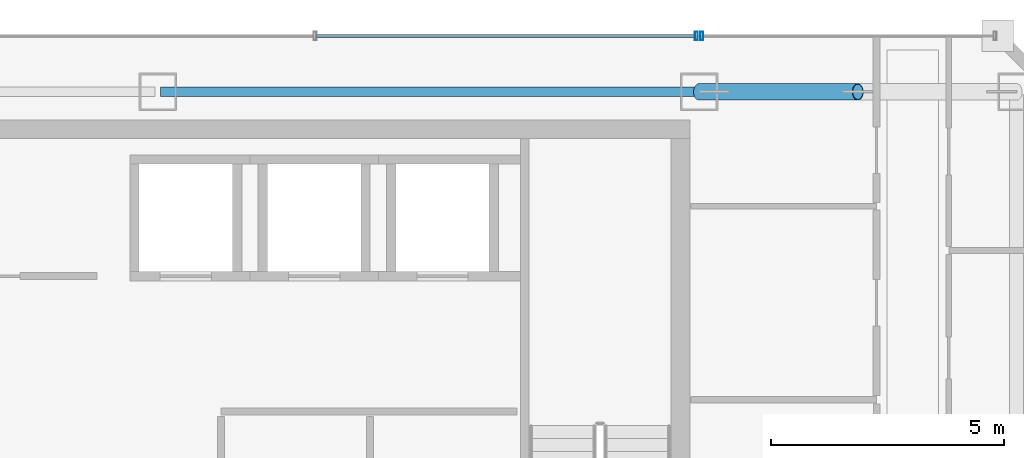
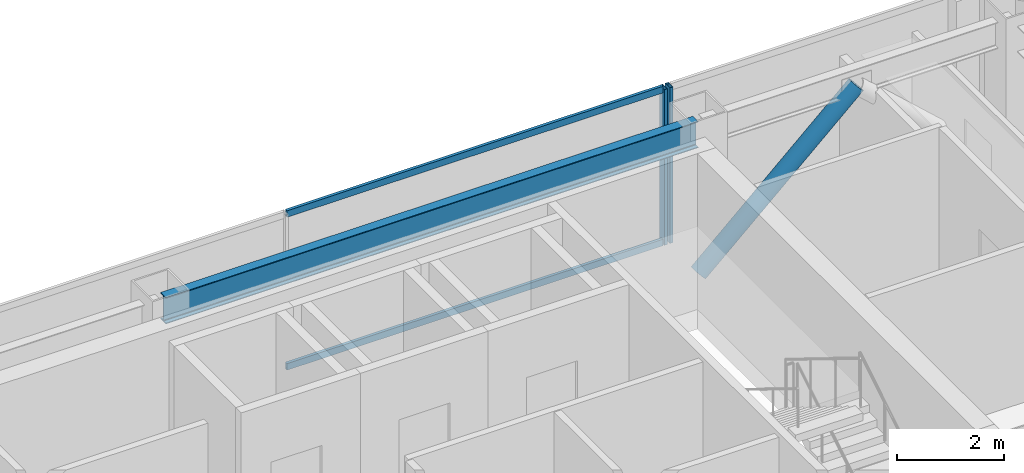
# One storey, part 20 of 31: 5 members, 1 beam, 2 elements without a shape of their own.
"""IFC4 building model written with IfcOpenShell, lengths in metres."""

from ifc_helpers import new_model, si_unit, direction, frame, origin, origin_2d, place, context, subcontext, project, spatial, hollow_rectangle, hollow_circle, i_section, extrude, material, material_profile, profile_set, type_object, element, aggregate, save


model = new_model("IFC4")

# Units and contexts
model_context = context("Model", 3, precision=1e-05, world=origin(), true_north=direction((0.0, 1.0)))
body_context = subcontext(model_context, "Body", "Model", "MODEL_VIEW")
ifc_project = project(units=[si_unit("LENGTHUNIT", "METRE"), si_unit("AREAUNIT", "SQUARE_METRE"), si_unit("VOLUMEUNIT", "CUBIC_METRE"), si_unit("PLANEANGLEUNIT", "RADIAN"), si_unit("MASSUNIT", "GRAM", prefix="KILO")], contexts=[model_context])

# Site, building, storey
site_placement = place(None, origin())
site = spatial("IfcSite", under=ifc_project, at=site_placement, CompositionType="ELEMENT")
building_placement = place(site_placement, origin())
building = spatial("IfcBuilding", under=site, at=building_placement, Name="Saevonmaru Cultural Tower", CompositionType="ELEMENT")
storey_placement = place(building_placement, frame((0.0, 0.0, 230.60009765625)))
storey = spatial("IfcBuildingStorey", under=building, at=storey_placement, Name="L53", CompositionType="ELEMENT", Elevation=230.60009765625)

# Beam
ifc_material_1 = material(Name="Steel SM355", Category="steel")
ifc_material_profile_1 = material_profile(ifc_material_1, i_section(OverallWidth=0.199951171875, OverallDepth=0.60009765625, WebThickness=0.010986328125, FlangeThickness=0.01708984375, FilletRadius=0.02197265625, at=origin_2d()), Name="H-600x200x11x17")
ifc_profile_set_1 = profile_set([ifc_material_profile_1], Name="Steel SM355")
beam_type = type_object("IfcBeamType", Name="BM-SP-H600", PredefinedType="SPANDREL", material=ifc_profile_set_1)
beam_placement = place(storey_placement, frame((34.860107421875, 54.800048828125, 3.25), z_axis=(1.0, 0.0, 0.0), x_axis=(0.0, 1.0, 0.0)))
element("IfcBeam", 1, at=beam_placement, inside=storey, type_object=beam_type, Name="L53 North Spine Girder 4", PredefinedType="SPANDREL", context=body_context, shape_type="SweptSolid", body=[
    extrude(i_section(OverallWidth=0.199951171875, OverallDepth=0.60009765625, WebThickness=0.010986328125, FlangeThickness=0.01708984375, FilletRadius=0.02197265625, at=origin_2d()), origin(), (0.0, 0.0, 1.0), 11.47998046875),
])

# Member
ifc_material_profile_2 = material_profile(ifc_material_1, hollow_circle(Radius=0.177734375, WallThickness=0.01611328125, at=origin_2d()), Name="CHS-355.6x16")
ifc_profile_set_2 = profile_set([ifc_material_profile_2], Name="Steel SM355")
member_type_1 = type_object("IfcMemberType", Name="MB-PBR-CHS356", PredefinedType="BRACE", material=ifc_profile_set_2)
member_1_placement = place(storey_placement, frame((46.39990234375, 54.800048828125, 0.02001953125), z_axis=(0.738986146064, 0.0, 0.673720621568), x_axis=(0.0, 1.0, 0.0)))
element("IfcMember", 2, at=member_1_placement, inside=storey, type_object=member_type_1, Name="L53 Perimeter Braced-Tube Diagonal EN1", PredefinedType="BRACE", context=body_context, shape_type="SweptSolid", body=[
    extrude(hollow_circle(Radius=0.177734375, WallThickness=0.01611328125, at=origin_2d()), origin(), (0.0, 0.0, 1.0), 4.60107421875),
])

# Curtain wall, member
ifc_material_2 = material(Name="Satin Bronze Anodised Aluminium", Category="aluminium")
curtain_wall_type = type_object("IfcCurtainWallType", Name="CW-SKY-GLZ", PredefinedType="NOTDEFINED", material=ifc_material_2)
curtain_wall_1_placement = place(storey_placement, origin())
curtain_wall_1 = element("IfcCurtainWall", 3, at=curtain_wall_1_placement, inside=storey, type_object=curtain_wall_type, Name="L53 East Braced Bay Spandrel Curtain Wall E10A", PredefinedType="NOTDEFINED")
ifc_material_profile_3 = material_profile(ifc_material_2, hollow_rectangle(XDim=0.06494140625, YDim=0.179931640625, WallThickness=0.00390625, at=origin_2d()), Name="ALU-MULL-180x65x4")
ifc_profile_set_3 = profile_set([ifc_material_profile_3], Name="Satin Bronze Anodised Aluminium")
member_type_2 = type_object("IfcMemberType", Name="ML-CW-180x65", PredefinedType="MULLION", material=ifc_profile_set_3)
member_2_placement = place(storey_placement, frame((46.4599609375, 56.0, 0.0), z_axis=(0.0, 0.0, 1.0), x_axis=(-1.0, 0.0, 0.0)))
member_2 = element("IfcMember", 4, at=member_2_placement, type_object=member_type_2, Name="CW-TW-L53-E10A mullion 2", PredefinedType="MULLION", context=body_context, shape_type="SweptSolid", body=[
    extrude(hollow_rectangle(XDim=0.06494140625, YDim=0.179931640625, WallThickness=0.00390625, at=origin_2d()), origin(), (0.0, 0.0, 1.0), 3.5498046875),
])
aggregate(curtain_wall_1, [member_2])

# Curtain wall, members
curtain_wall_2_placement = place(storey_placement, origin())
curtain_wall_2 = element("IfcCurtainWall", 5, at=curtain_wall_2_placement, inside=storey, type_object=curtain_wall_type, Name="L53 North Spine Unitised Curtain Wall E10B", PredefinedType="NOTDEFINED")
member_3_placement = place(storey_placement, frame((46.340087890625, 56.0, 0.0), z_axis=(0.0, 0.0, 1.0), x_axis=(-1.0, 0.0, 0.0)))
member_3 = element("IfcMember", 6, at=member_3_placement, type_object=member_type_2, Name="CW-TW-L53-E10B mullion 1", PredefinedType="MULLION", context=body_context, shape_type="SweptSolid", body=[
    extrude(hollow_rectangle(XDim=0.06494140625, YDim=0.179931640625, WallThickness=0.00390625, at=origin_2d()), origin(), (0.0, 0.0, 1.0), 3.5498046875),
])
ifc_material_profile_4 = material_profile(ifc_material_2, hollow_rectangle(XDim=0.06494140625, YDim=0.14990234375, WallThickness=0.00390625, at=origin_2d()), Name="ALU-TRAN-150x65x4")
ifc_profile_set_4 = profile_set([ifc_material_profile_4], Name="Satin Bronze Anodised Aluminium")
member_type_3 = type_object("IfcMemberType", Name="TR-CW-150x65", PredefinedType="USERDEFINED", material=ifc_profile_set_4)
member_4_placement = place(storey_placement, frame((46.3076171875, 56.0, 0.032470703125), z_axis=(-1.0, 0.0, 0.0), x_axis=(0.0, -1.0, 0.0)))
member_4 = element("IfcMember", 7, at=member_4_placement, type_object=member_type_3, Name="CW-TW-L53-E10B transom 1.1", ObjectType="TRANSOM", PredefinedType="USERDEFINED", context=body_context, shape_type="SweptSolid", body=[
    extrude(hollow_rectangle(XDim=0.06494140625, YDim=0.14990234375, WallThickness=0.00390625, at=origin_2d()), origin(), (0.0, 0.0, 1.0), 8.105224609375),
])
member_5_placement = place(storey_placement, frame((46.3076171875, 56.0, 3.517333984375), z_axis=(-1.0, 0.0, 0.0), x_axis=(0.0, -1.0, 0.0)))
member_5 = element("IfcMember", 8, at=member_5_placement, type_object=member_type_3, Name="CW-TW-L53-E10B transom 1.2", ObjectType="TRANSOM", PredefinedType="USERDEFINED", context=body_context, shape_type="SweptSolid", body=[
    extrude(hollow_rectangle(XDim=0.06494140625, YDim=0.14990234375, WallThickness=0.00390625, at=origin_2d()), origin(), (0.0, 0.0, 1.0), 8.105224609375),
])
aggregate(curtain_wall_2, [member_3, member_4, member_5])

save(model, "model.ifc")
